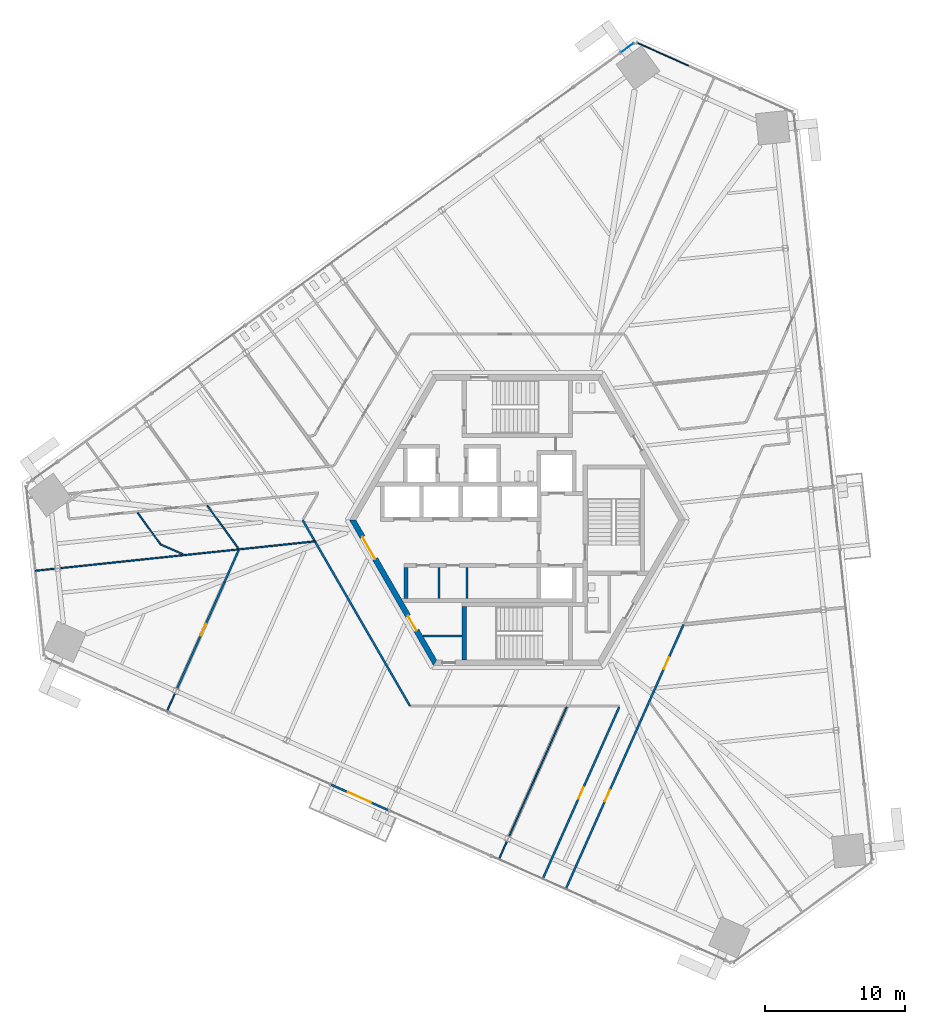
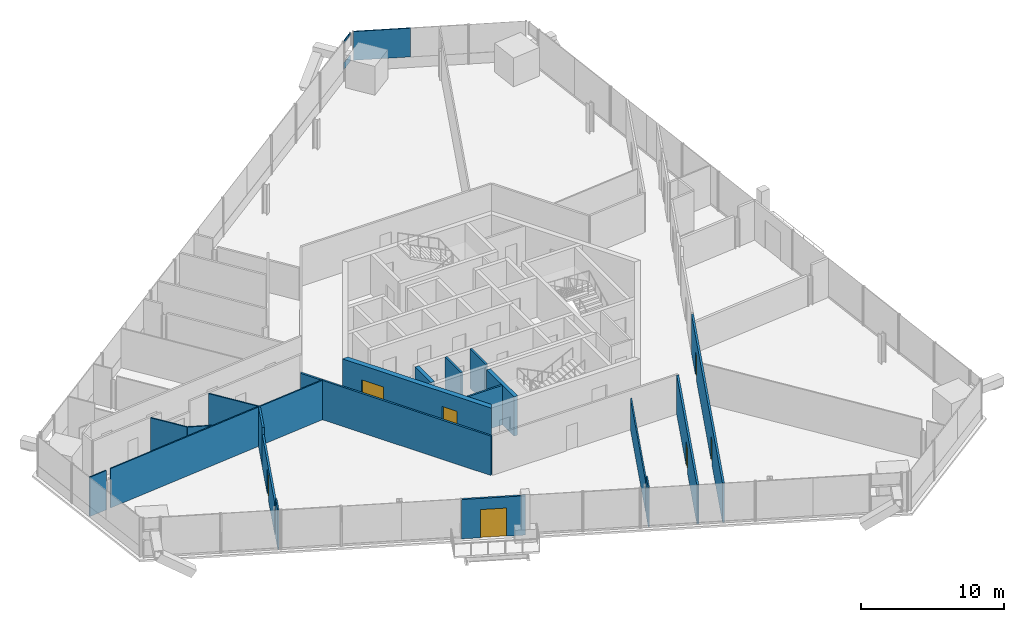
# One storey, part 17 of 25: 20 walls, 7 doors, 3 plates, 7 openings, 3 elements without a shape of their own.
"""IFC4 building model written with IfcOpenShell, lengths in metres."""

import ifcopenshell
import ifcopenshell.guid

model = None  # the IFC model being written
_history = None  # IfcOwnerHistory: only IFC2X3 demands one
_inside = {}  # id of a spatial element -> (the spatial element, [elements in it])
_under = {}  # id of a project, library or spatial element -> (it, [spatial elements below it])
_declared = {}  # id of a project -> (the project, [libraries it declares])
_typed = {}  # id of a type object -> (the type object, [elements of that type])
_made_of = {}  # id of a material, layer set ... -> (it, [elements and type objects made of it])


def new_model(schema):
    """Start an empty IFC model of exactly this schema.

    Asked for "IFC4X3", IfcOpenShell would pick the latest addendum, in which some entities
    have other attributes; the version numbers below select the first issue.
    IFC2X3 requires an IfcOwnerHistory on every rooted entity: one is made here for all.
    """
    global model, _history
    if schema == "IFC4X3":
        model = ifcopenshell.file(schema_version=(4, 3, 0, 0))
    else:
        model = ifcopenshell.file(schema=schema)
    _inside.clear()
    _under.clear()
    _declared.clear()
    _typed.clear()
    _made_of.clear()
    _history = None
    if model.schema == "IFC2X3":
        org = make("IfcOrganization", Name="unknown")
        user = make(
            "IfcPersonAndOrganization",
            ThePerson=make("IfcPerson", FamilyName="unknown"),
            TheOrganization=org,
        )
        app = make(
            "IfcApplication",
            ApplicationDeveloper=org,
            Version="unknown",
            ApplicationFullName="unknown",
            ApplicationIdentifier="unknown",
        )
        _history = make(
            "IfcOwnerHistory",
            OwningUser=user,
            OwningApplication=app,
            ChangeAction="ADDED",
            CreationDate=0,
        )
    return model


def make(cls, **values):
    """One entity of the class cls with the attributes given. An attribute that is None is left unset."""
    return model.create_entity(
        cls, **{name: value for name, value in values.items() if value is not None}
    )


def rooted(cls, **values):
    """An entity with a GlobalId (a new one), such as an element, a storey or a relation."""
    return make(cls, GlobalId=ifcopenshell.guid.new(), OwnerHistory=_history, **values)


def si_unit(unit_type, name, prefix=None):
    """IfcSIUnit, for example si_unit("LENGTHUNIT", "METRE", prefix="MILLI")."""
    return make("IfcSIUnit", UnitType=unit_type, Prefix=prefix, Name=name)


def assignment(units):
    """IfcUnitAssignment: the units of a project."""
    return None if units is None else make("IfcUnitAssignment", Units=units)


def point(xyz):
    """IfcCartesianPoint."""
    return None if xyz is None else make("IfcCartesianPoint", Coordinates=xyz)


def direction(xyz):
    """IfcDirection."""
    return None if xyz is None else make("IfcDirection", DirectionRatios=xyz)


def frame(location, z_axis=None, x_axis=None):
    """IfcAxis2Placement3D, a coordinate frame: its origin and axes. An axis left out is left unset."""
    return make(
        "IfcAxis2Placement3D",
        Location=point(location),
        Axis=direction(z_axis),
        RefDirection=direction(x_axis),
    )


def frame_2d(location, x_axis=None):
    """IfcAxis2Placement2D, a coordinate frame in the plane: its origin and x axis."""
    return make(
        "IfcAxis2Placement2D", Location=point(location), RefDirection=direction(x_axis)
    )


def origin():
    """The frame at (0, 0, 0) with its axes left unset."""
    return frame((0.0, 0.0, 0.0))


def origin_2d():
    """The frame at (0, 0) in the plane with its x axis left unset."""
    return frame_2d((0.0, 0.0))


def place(relative_to, where):
    """IfcLocalPlacement: puts the frame where relative to a parent placement (None: the world)."""
    return make(
        "IfcLocalPlacement", PlacementRelTo=relative_to, RelativePlacement=where
    )


def context(
    kind, dimensions, precision=None, world=None, true_north=None, identifier=None
):
    """IfcGeometricRepresentationContext, for example the 3D "Model" context."""
    return make(
        "IfcGeometricRepresentationContext",
        ContextIdentifier=identifier,
        ContextType=kind,
        CoordinateSpaceDimension=dimensions,
        Precision=precision,
        WorldCoordinateSystem=world,
        TrueNorth=true_north,
    )


def subcontext(parent, identifier, kind, view, scale=None):
    """IfcGeometricRepresentationSubContext, for example "Body" below "Model"."""
    return make(
        "IfcGeometricRepresentationSubContext",
        ContextIdentifier=identifier,
        ContextType=kind,
        ParentContext=parent,
        TargetScale=scale,
        TargetView=view,
    )


def project(units=None, contexts=None):
    """IfcProject with its units and contexts."""
    return rooted(
        "IfcProject",
        Name="project",
        RepresentationContexts=contexts,
        UnitsInContext=assignment(units),
    )


def spatial(cls, under=None, at=None, **own):
    """A site, building, storey or space (cls), placed at a placement, below another one or the project."""
    s = rooted(cls, ObjectPlacement=at, **own)
    if under is not None:
        _under.setdefault(under.id(), (under, []))[1].append(s)
    return s


def polyline(points):
    """IfcPolyline through the points."""
    return make("IfcPolyline", Points=[point(p) for p in points])


def profile(cls, at=None, kind="AREA", **sizes):
    """A parametric profile (cls). Its sizes go by their IFC names, for example OverallWidth=200.0."""
    return make(cls, ProfileType=kind, Position=at, **sizes)


def rectangle(**sizes):
    """IfcRectangleProfileDef."""
    return profile("IfcRectangleProfileDef", **sizes)


def outline(outer, holes=None, kind="AREA"):
    """IfcArbitraryClosedProfileDef: a profile drawn as a closed curve; with holes, ...WithVoids."""
    if holes is None:
        return make("IfcArbitraryClosedProfileDef", ProfileType=kind, OuterCurve=outer)
    return make(
        "IfcArbitraryProfileDefWithVoids",
        ProfileType=kind,
        OuterCurve=outer,
        InnerCurves=holes,
    )


def extrude(swept, where, along, depth):
    """IfcExtrudedAreaSolid: the profile swept, set in the frame where, extruded along a direction by depth."""
    return make(
        "IfcExtrudedAreaSolid",
        SweptArea=swept,
        Position=where,
        ExtrudedDirection=direction(along),
        Depth=depth,
    )


def shape(context_of_items, identifier, shape_type, items):
    """IfcShapeRepresentation: the items that make up one representation, for example the "Body"."""
    return make(
        "IfcShapeRepresentation",
        ContextOfItems=context_of_items,
        RepresentationIdentifier=identifier,
        RepresentationType=shape_type,
        Items=items,
    )


def source(mapping_origin, context_of_items, identifier, shape_type, items):
    """IfcRepresentationMap: a shape defined once, which mapped items show again and again."""
    return make(
        "IfcRepresentationMap",
        MappingOrigin=mapping_origin,
        MappedRepresentation=shape(context_of_items, identifier, shape_type, items),
    )


def transform(
    local_origin,
    x_axis=None,
    y_axis=None,
    z_axis=None,
    scale=None,
    scale2=None,
    scale3=None,
    uniform=True,
):
    """IfcCartesianTransformationOperator3D, or its non-uniform kind. x_axis, y_axis, z_axis: its Axis1, 2, 3."""
    if uniform:
        return make(
            "IfcCartesianTransformationOperator3D",
            Axis1=direction(x_axis),
            Axis2=direction(y_axis),
            LocalOrigin=point(local_origin),
            Scale=scale,
            Axis3=direction(z_axis),
        )
    return make(
        "IfcCartesianTransformationOperator3DnonUniform",
        Axis1=direction(x_axis),
        Axis2=direction(y_axis),
        LocalOrigin=point(local_origin),
        Scale=scale,
        Axis3=direction(z_axis),
        Scale2=scale2,
        Scale3=scale3,
    )


def mapped(mapping_source, mapping_target):
    """IfcMappedItem: shows the shape of a source again, moved by a transform."""
    return make(
        "IfcMappedItem", MappingSource=mapping_source, MappingTarget=mapping_target
    )


def material(Name=None, Category=None):
    """IfcMaterial."""
    return make("IfcMaterial", Name=Name, Category=Category)


def layer(
    of_material, thickness, ventilated=None, Name=None, Category=None, Priority=None
):
    """IfcMaterialLayer: one layer of a wall or slab, of a material (None: an air gap)."""
    return make(
        "IfcMaterialLayer",
        Material=of_material,
        LayerThickness=thickness,
        IsVentilated=ventilated,
        Name=Name,
        Category=Category,
        Priority=Priority,
    )


def layer_set(layers, Name=None):
    """IfcMaterialLayerSet."""
    return make("IfcMaterialLayerSet", MaterialLayers=layers, LayerSetName=Name)


def made_of(thing, what):
    """Note that an element or type object is made of a material, layer set ...; save() writes the relation."""
    if what is not None:
        _made_of.setdefault(what.id(), (what, []))[1].append(thing)
    return thing


def type_object(cls, material=None, **own):
    """A type object (cls), such as IfcWallType, which elements share."""
    return made_of(rooted(cls, **own), material)


def element(
    cls,
    number,
    at=None,
    inside=None,
    cuts=None,
    type_object=None,
    material=None,
    context=None,
    identifier="Body",
    shape_type=None,
    held_by="IfcProductDefinitionShape",
    body=None,
    shapes=None,
    **own,
):
    """One element of the class cls, such as IfcWall. Its Tag is "e" and its number.

    at: its placement. inside: the storey or other place that contains it. cuts: it is an
    opening in that element (IfcRelVoidsElement). A single representation is given by context,
    identifier, shape_type and body (its items); several are given by shapes. held_by: the class
    of the entity that holds the representations. save() writes the other relations.
    """
    e = rooted(cls, Tag="e%d" % number, ObjectPlacement=at, **own)
    if body is not None:
        shapes = [shape(context, identifier, shape_type, body)]
    if shapes is not None:
        e.Representation = make(held_by, Representations=shapes)
    if inside is not None:
        _inside.setdefault(inside.id(), (inside, []))[1].append(e)
    if cuts is not None:
        rooted(
            "IfcRelVoidsElement", RelatingBuildingElement=cuts, RelatedOpeningElement=e
        )
    if type_object is not None:
        _typed.setdefault(type_object.id(), (type_object, []))[1].append(e)
    return made_of(e, material)


def fill(opening, filler):
    """IfcRelFillsElement: the door or window that sits in an opening."""
    return rooted(
        "IfcRelFillsElement",
        RelatingOpeningElement=opening,
        RelatedBuildingElement=filler,
    )


def aggregate(whole, parts):
    """IfcRelAggregates: a whole, such as a stair, and the parts it consists of."""
    return rooted("IfcRelAggregates", RelatingObject=whole, RelatedObjects=parts)


def save(model, path):
    """Write the relations noted so far, then the file.

    IfcRelAggregates (storeys below a building ...), IfcRelContainedInSpatialStructure (elements
    in a storey), IfcRelDefinesByType, IfcRelAssociatesMaterial and IfcRelDeclares: one each for
    every whole, place, type object, material and project.
    """
    for whole, parts in _under.values():
        aggregate(whole, parts)
    for where, things in _inside.values():
        rooted(
            "IfcRelContainedInSpatialStructure",
            RelatedElements=things,
            RelatingStructure=where,
        )
    for kind, things in _typed.values():
        rooted("IfcRelDefinesByType", RelatedObjects=things, RelatingType=kind)
    for what, things in _made_of.values():
        rooted("IfcRelAssociatesMaterial", RelatedObjects=things, RelatingMaterial=what)
    for by, libraries in _declared.values():
        rooted("IfcRelDeclares", RelatingContext=by, RelatedDefinitions=libraries)
    model.write(path)


model = new_model("IFC4")

# Units and contexts
model_context = context("Model", 3, precision=1e-05, world=origin(), true_north=direction((0.0, 1.0)))
body_context = subcontext(model_context, "Body", "Model", "MODEL_VIEW")
ifc_project = project(units=[si_unit("LENGTHUNIT", "METRE"), si_unit("AREAUNIT", "SQUARE_METRE"), si_unit("VOLUMEUNIT", "CUBIC_METRE"), si_unit("PLANEANGLEUNIT", "RADIAN"), si_unit("MASSUNIT", "GRAM", prefix="KILO")], contexts=[model_context])

# Site, building, storey
site_placement = place(None, origin())
site = spatial("IfcSite", under=ifc_project, at=site_placement, CompositionType="ELEMENT")
building_placement = place(site_placement, origin())
building = spatial("IfcBuilding", under=site, at=building_placement, Name="Triune Harvest Tower", CompositionType="ELEMENT")
storey_placement = place(building_placement, frame((0.0, 0.0, 90.89990234375)))
storey = spatial("IfcBuildingStorey", under=building, at=storey_placement, Name="L22", CompositionType="ELEMENT", Elevation=90.89990234375)

# Curtain wall, plate
ifc_material_1 = material(Name="Aluminium bronze anodised", Category="aluminium")
curtain_wall_type_1 = type_object("IfcCurtainWallType", Name="CW-1 Tower stick curtain wall", PredefinedType="NOTDEFINED", material=ifc_material_1)
curtain_wall_1_placement = place(storey_placement, origin())
curtain_wall_1 = element("IfcCurtainWall", 1, at=curtain_wall_1_placement, inside=storey, type_object=curtain_wall_type_1, Name="CW-1 B2-F3 L22 run 1")
ifc_material_2 = material(Name="Glass", Category="glass")
ifc_layer_1 = layer(ifc_material_2, 0.031982421875)
ifc_layer_set_1 = layer_set([ifc_layer_1], Name="Glass")
plate_type_1 = type_object("IfcPlateType", Name="GL-1 panel 32", PredefinedType="CURTAIN_PANEL", material=ifc_layer_set_1)
plate_1_placement = place(storey_placement, frame((7.864990234375, 33.770263671875, 0.900146484375), z_axis=(0.0, 0.0, 1.0), x_axis=(-0.809012047405, -0.587792061152, 0.0)))
plate_1 = element("IfcPlate", 2, at=plate_1_placement, type_object=plate_type_1, Name="CW-1 panel B2-F3 1.1", PredefinedType="CURTAIN_PANEL", context=body_context, shape_type="SweptSolid", body=[
    extrude(rectangle(XDim=1.07177734375, YDim=0.031982421875, at=origin_2d()), origin(), (0.0, 0.0, 1.0), 0.56494140625),
])
aggregate(curtain_wall_1, [plate_1])

curtain_wall_2_placement = place(storey_placement, origin())
curtain_wall_2 = element("IfcCurtainWall", 3, at=curtain_wall_2_placement, inside=storey, type_object=curtain_wall_type_1, Name="CW-1 B2-F3 L22 run 101")
plate_2_placement = place(storey_placement, frame((7.864990234375, 33.770263671875, 3.13525390625), z_axis=(0.0, 0.0, 1.0), x_axis=(-0.809012047405, -0.587792061152, 0.0)))
plate_2 = element("IfcPlate", 4, at=plate_2_placement, type_object=plate_type_1, Name="CW-1 panel B2-F3 101.1", PredefinedType="CURTAIN_PANEL", context=body_context, shape_type="SweptSolid", body=[
    extrude(rectangle(XDim=1.07177734375, YDim=0.031982421875, at=origin_2d()), origin(), (0.0, 0.0, 1.0), 0.215087890625),
])
aggregate(curtain_wall_2, [plate_2])

ifc_material_3 = material(Name="Aluminium bronze anodised", Category="aluminium")
curtain_wall_type_2 = type_object("IfcCurtainWallType", Name="CW-7 Tower stick curtain wall with insulated spandrel infill", PredefinedType="NOTDEFINED", material=ifc_material_3)
curtain_wall_3_placement = place(storey_placement, origin())
curtain_wall_3 = element("IfcCurtainWall", 5, at=curtain_wall_3_placement, inside=storey, type_object=curtain_wall_type_2, Name="CW-7 B2-F2 L22 run 1001")
ifc_material_4 = material(Name="Insulated spandrel panel, bronze aluminium pan", Category="aluminium")
ifc_layer_2 = layer(ifc_material_4, 0.080078125)
ifc_layer_set_2 = layer_set([ifc_layer_2], Name="Insulated spandrel panel, bronze aluminium pan")
plate_type_2 = type_object("IfcPlateType", Name="SP-1 insulated spandrel panel 80", PredefinedType="CURTAIN_PANEL", material=ifc_layer_set_2)
shared_shape_1 = source(origin(), body_context, "Body", "SweptSolid", [
    extrude(rectangle(XDim=3.998291015625, YDim=0.080078125, at=origin_2d()), origin(), (0.0, 0.0, 1.0), 2.449951171875),
])
plate_3_placement = place(storey_placement, frame((10.4091796875, 33.302001953125, 0.89990234375), z_axis=(0.0, 0.0, 1.0), x_axis=(-0.913546005002, 0.406735413684, 0.0)))
plate_3 = element("IfcPlate", 6, at=plate_3_placement, type_object=plate_type_2, Name="CW-7 panel B2-F2 1001.2", PredefinedType="CURTAIN_PANEL", context=body_context, shape_type="MappedRepresentation", body=[
    mapped(shared_shape_1, transform((0.0, 0.0, 0.0), scale=1.0)),
])
aggregate(curtain_wall_3, [plate_3])

# Wall, openings, doors
ifc_material_5 = material(Name="Gypsum board on steel studs", Category="steel")
ifc_layer_3 = layer(ifc_material_5, 0.14990234375)
ifc_layer_set_3 = layer_set([ifc_layer_3], Name="Gypsum board on steel studs")
wall_type_1 = type_object("IfcWallType", Name="Fire Partition 150 mm", PredefinedType="PARTITIONING", material=ifc_layer_set_3)
wall_1_placement = place(storey_placement, frame((3.460205078125, -26.386474609375, 0.0), z_axis=(0.0, 0.0, 1.0), x_axis=(0.406728921901, 0.913548895292, 0.0)))
wall_1 = element("IfcWall", 7, at=wall_1_placement, inside=storey, type_object=wall_type_1, Name="Partition L22 043", PredefinedType="PARTITIONING", context=body_context, shape_type="SweptSolid", body=[
    extrude(rectangle(XDim=20.713623046875, YDim=0.14990234375, at=frame_2d((10.35693359375, 0.0))), origin(), (0.0, 0.0, 1.0), 3.35009765625),
])
opening_1_placement = place(wall_1_placement, frame((17.226318359375, 0.0, 0.0)))
opening_1 = element("IfcOpeningElement", 8, at=opening_1_placement, cuts=wall_1, Name="Opening L22-001", PredefinedType="OPENING", context=body_context, shape_type="SweptSolid", body=[
    extrude(rectangle(XDim=0.89990234375, YDim=2.10009765625, at=frame_2d((0.449951171875, 1.050048828125))), frame((0.0, 0.0849609375, 0.0), z_axis=(0.0, -1.0, 0.0), x_axis=(1.0, 0.0, 0.0)), (0.0, 0.0, 1.0), 0.169921875),
])
opening_2_placement = place(wall_1_placement, frame((6.85009765625, 0.0, 0.0)))
opening_2 = element("IfcOpeningElement", 9, at=opening_2_placement, cuts=wall_1, Name="Opening L22-022", PredefinedType="OPENING", context=body_context, shape_type="SweptSolid", body=[
    extrude(rectangle(XDim=0.89990234375, YDim=2.10009765625, at=frame_2d((0.449951171875, 1.050048828125))), frame((0.0, 0.0849609375, 0.0), z_axis=(0.0, -1.0, 0.0), x_axis=(1.0, 0.0, 0.0)), (0.0, 0.0, 1.0), 0.169921875),
])
ifc_material_6 = material(Name="Timber and steel door set", Category="steel")
door_type_1 = type_object("IfcDoorType", Name="Single leaf door FD30 left hand 900 x 2100", OperationType="SINGLE_SWING_LEFT", PredefinedType="DOOR", material=ifc_material_6)
door_1_placement = place(opening_1_placement, origin())
door_1 = element("IfcDoor", 10, at=door_1_placement, inside=storey, type_object=door_type_1, Name="Door L22-001 Office 22.01", OperationType="SINGLE_SWING_LEFT", OverallHeight=2.10009765625, OverallWidth=0.89990234375, PredefinedType="DOOR", context=body_context, shape_type="SweptSolid", body=[
    extrude(rectangle(XDim=0.89990234375, YDim=2.10009765625, at=frame_2d((0.449951171875, 1.050048828125))), frame((0.0, 0.02490234375, 0.0), z_axis=(0.0, -1.0, 0.0), x_axis=(1.0, 0.0, 0.0)), (0.0, 0.0, 1.0), 0.050048828125),
])
fill(opening_1, door_1)
ifc_material_7 = material(Name="Timber and steel door set", Category="steel")
door_type_2 = type_object("IfcDoorType", Name="Single leaf door FD30 right hand 900 x 2100", OperationType="SINGLE_SWING_RIGHT", PredefinedType="DOOR", material=ifc_material_7)
door_2_placement = place(opening_2_placement, origin())
door_2 = element("IfcDoor", 11, at=door_2_placement, inside=storey, type_object=door_type_2, Name="Door L22-022 Office 22.22", OperationType="SINGLE_SWING_RIGHT", OverallHeight=2.10009765625, OverallWidth=0.89990234375, PredefinedType="DOOR", context=body_context, shape_type="SweptSolid", body=[
    extrude(rectangle(XDim=0.89990234375, YDim=2.10009765625, at=frame_2d((0.449951171875, 1.050048828125))), frame((0.0, 0.02490234375, 0.0), z_axis=(0.0, -1.0, 0.0), x_axis=(1.0, 0.0, 0.0)), (0.0, 0.0, 1.0), 0.050048828125),
])
fill(opening_2, door_2)

# Wall, opening, door
wall_2_placement = place(storey_placement, frame((1.81591796875, -25.654296875, 0.0), z_axis=(0.0, 0.0, 1.0), x_axis=(0.406734939116, 0.913546216292, 0.0)))
wall_2 = element("IfcWall", 12, at=wall_2_placement, inside=storey, type_object=wall_type_1, Name="Partition L22 049", PredefinedType="PARTITIONING", context=body_context, shape_type="SweptSolid", body=[
    extrude(rectangle(XDim=13.44189453125, YDim=0.14990234375, at=frame_2d((6.720947265625, 0.0))), origin(), (0.0, 0.0, 1.0), 3.35009765625),
])
opening_3_placement = place(wall_2_placement, frame((6.281982421875, 0.0, 0.0)))
opening_3 = element("IfcOpeningElement", 13, at=opening_3_placement, cuts=wall_2, Name="Opening L22-021", PredefinedType="OPENING", context=body_context, shape_type="SweptSolid", body=[
    extrude(rectangle(XDim=0.89990234375, YDim=2.10009765625, at=frame_2d((0.449951171875, 1.050048828125))), frame((0.0, 0.0849609375, 0.0), z_axis=(0.0, -1.0, 0.0), x_axis=(1.0, 0.0, 0.0)), (0.0, 0.0, 1.0), 0.169921875),
])
door_3_placement = place(opening_3_placement, origin())
door_3 = element("IfcDoor", 14, at=door_3_placement, inside=storey, type_object=door_type_1, Name="Door L22-021 Office 22.21", OperationType="SINGLE_SWING_LEFT", OverallHeight=2.10009765625, OverallWidth=0.89990234375, PredefinedType="DOOR", context=body_context, shape_type="SweptSolid", body=[
    extrude(rectangle(XDim=0.89990234375, YDim=2.10009765625, at=frame_2d((0.449951171875, 1.050048828125))), frame((0.0, 0.02490234375, 0.0), z_axis=(0.0, -1.0, 0.0), x_axis=(1.0, 0.0, 0.0)), (0.0, 0.0, 1.0), 0.050048828125),
])
fill(opening_3, door_3)

wall_3_placement = place(storey_placement, frame((-24.329833984375, -12.0517578125, 0.0), z_axis=(0.0, 0.0, 1.0), x_axis=(0.406733929789, 0.913546665671, 0.0)))
wall_3 = element("IfcWall", 15, at=wall_3_placement, inside=storey, type_object=wall_type_1, Name="Partition L22 056", PredefinedType="PARTITIONING", context=body_context, shape_type="SweptSolid", body=[
    extrude(rectangle(XDim=8.291748046875, YDim=0.14990234375, at=frame_2d((4.14599609375, 0.0))), origin(), (0.0, 0.0, 1.0), 2.73779296875),
])
opening_4_placement = place(wall_3_placement, frame((4.1533203125, 0.0, 0.0)))
opening_4 = element("IfcOpeningElement", 16, at=opening_4_placement, cuts=wall_3, Name="Opening L22-019", PredefinedType="OPENING", context=body_context, shape_type="SweptSolid", body=[
    extrude(rectangle(XDim=0.89990234375, YDim=2.10009765625, at=frame_2d((0.449951171875, 1.050048828125))), frame((0.0, 0.0849609375, 0.0), z_axis=(0.0, -1.0, 0.0), x_axis=(1.0, 0.0, 0.0)), (0.0, 0.0, 1.0), 0.169921875),
])
door_4_placement = place(opening_4_placement, origin())
door_4 = element("IfcDoor", 17, at=door_4_placement, inside=storey, type_object=door_type_1, Name="Door L22-019 Specimen Store 22.19", OperationType="SINGLE_SWING_LEFT", OverallHeight=2.10009765625, OverallWidth=0.89990234375, PredefinedType="DOOR", context=body_context, shape_type="SweptSolid", body=[
    extrude(rectangle(XDim=0.89990234375, YDim=2.10009765625, at=frame_2d((0.449951171875, 1.050048828125))), frame((0.0, 0.02490234375, 0.0), z_axis=(0.0, -1.0, 0.0), x_axis=(1.0, 0.0, 0.0)), (0.0, 0.0, 1.0), 0.050048828125),
])
fill(opening_4, door_4)

# Walls
wall_4_placement = place(storey_placement, frame((-20.957275390625, -4.476806640625, 0.0), z_axis=(0.0, 0.0, 1.0), x_axis=(0.406764703953, 0.913532963619, 0.0)))
element("IfcWall", 18, at=wall_4_placement, inside=storey, type_object=wall_type_1, Name="Partition L22 056a", PredefinedType="PARTITIONING", context=body_context, shape_type="SweptSolid", body=[
    extrude(rectangle(XDim=2.53173828125, YDim=0.14990234375, at=frame_2d((1.265869140625, 0.0))), origin(), (0.0, 0.0, 1.0), 3.35009765625),
])
ifc_material_8 = material(Name="Gypsum board on steel studs", Category="steel")
ifc_layer_4 = layer(ifc_material_8, 0.10009765625)
ifc_layer_set_4 = layer_set([ifc_layer_4], Name="Gypsum board on steel studs")
wall_type_2 = type_object("IfcWallType", Name="Partition 100 mm", PredefinedType="PARTITIONING", material=ifc_layer_set_4)
wall_5_placement = place(storey_placement, frame((-27.144287109375, 0.5185546875, 0.0), z_axis=(0.0, 0.0, 1.0), x_axis=(0.587723184336, -0.809062085748, 0.0)))
element("IfcWall", 19, at=wall_5_placement, inside=storey, type_object=wall_type_2, Name="Partition L22 006", PredefinedType="PARTITIONING", context=body_context, shape_type="SweptSolid", body=[
    extrude(rectangle(XDim=2.783935546875, YDim=0.10009765625, at=frame_2d((1.39208984375, 0.0))), origin(), (0.0, 0.0, 1.0), 3.35009765625),
])
wall_6_placement = place(storey_placement, frame((-22.1708984375, 1.04150390625, 0.0), z_axis=(0.0, 0.0, 1.0), x_axis=(0.587786984846, -0.809015735598, 0.0)))
element("IfcWall", 20, at=wall_6_placement, inside=storey, type_object=wall_type_2, Name="Partition L22 009", PredefinedType="PARTITIONING", context=body_context, shape_type="SweptSolid", body=[
    extrude(rectangle(XDim=3.811767578125, YDim=0.10009765625, at=frame_2d((1.90576171875, 0.0))), origin(), (0.0, 0.0, 1.0), 3.35009765625),
])
wall_7_placement = place(storey_placement, frame((-25.4990234375, -1.73779296875, 0.0), z_axis=(0.0, 0.0, 1.0), x_axis=(0.913573395062, -0.406673888803, 0.0)))
element("IfcWall", 21, at=wall_7_placement, inside=storey, type_object=wall_type_2, Name="Partition L22 019", PredefinedType="PARTITIONING", context=body_context, shape_type="SweptSolid", body=[
    extrude(rectangle(XDim=1.734375, YDim=0.10009765625, at=frame_2d((0.8671875, 0.0))), origin(), (0.0, 0.0, 1.0), 3.35009765625),
])
wall_8_placement = place(storey_placement, frame((-34.466796875, -3.62353515625, 0.0), z_axis=(0.0, 0.0, 1.0), x_axis=(0.994511109239, 0.104631035546, 0.0)))
element("IfcWall", 22, at=wall_8_placement, inside=storey, type_object=wall_type_2, Name="Partition L22 024", PredefinedType="PARTITIONING", context=body_context, shape_type="SweptSolid", body=[
    extrude(rectangle(XDim=1.418701171875, YDim=0.10009765625, at=frame_2d((0.70947265625, 0.0))), origin(), (0.0, 0.0, 1.0), 3.35009765625),
])
wall_9_placement = place(storey_placement, frame((-0.58984375, -22.62158203125, 0.0), z_axis=(0.0, 0.0, 1.0), x_axis=(0.406757654294, 0.913536102556, 0.0)))
element("IfcWall", 23, at=wall_9_placement, inside=storey, type_object=wall_type_2, Name="Partition L22 052", PredefinedType="PARTITIONING", context=body_context, shape_type="SweptSolid", body=[
    extrude(rectangle(XDim=10.132080078125, YDim=0.10009765625, at=frame_2d((5.06591796875, 0.0))), origin(), (0.0, 0.0, 1.0), 2.6669921875),
])

# Wall, openings, doors
ifc_material_9 = material(Name="Concrete 70 MPa", Category="concrete")
ifc_layer_5 = layer(ifc_material_9, 0.39990234375)
ifc_layer_set_5 = layer_set([ifc_layer_5], Name="Concrete 70 MPa")
wall_type_3 = type_object("IfcWallType", Name="Core wall 400", PredefinedType="SHEAR", material=ifc_layer_set_5)
shared_shape_2 = source(origin(), body_context, "Body", "SweptSolid", [
    extrude(outline(polyline([(-0.115478515625, -0.199951171875), (11.884521484375, -0.199951171875), (11.653564453125, 0.199951171875), (0.115478515625, 0.199951171875), (-0.115478515625, -0.199951171875)])), origin(), (0.0, 0.0, 1.0), 3.35009765625),
])
wall_10_placement = place(storey_placement, frame((-11.76904296875, 0.0, 0.0), z_axis=(0.0, 0.0, 1.0), x_axis=(0.499996592174, -0.866027371285, 0.0)))
wall_10 = element("IfcWall", 24, at=wall_10_placement, inside=storey, type_object=wall_type_3, Name="Hexagon 3 wall", PredefinedType="SHEAR", context=body_context, shape_type="MappedRepresentation", body=[
    mapped(shared_shape_2, transform((0.0, 0.0, 0.0), scale=1.0)),
])
opening_5_placement = place(wall_10_placement, frame((1.404541015625, 0.0, 0.0)))
opening_5 = element("IfcOpeningElement", 25, at=opening_5_placement, cuts=wall_10, Name="Opening CD-LS", PredefinedType="OPENING", context=body_context, shape_type="SweptSolid", body=[
    extrude(rectangle(XDim=1.800048828125, YDim=2.10009765625, at=frame_2d((0.89990234375, 1.050048828125))), frame((0.0, 0.2099609375, 0.0), z_axis=(0.0, -1.0, 0.0), x_axis=(1.0, 0.0, 0.0)), (0.0, 0.0, 1.0), 0.419921875),
])
opening_6_placement = place(wall_10_placement, frame((7.91455078125, 0.0, 0.0)))
opening_6 = element("IfcOpeningElement", 26, at=opening_6_placement, cuts=wall_10, Name="Opening CD-SWP", PredefinedType="OPENING", context=body_context, shape_type="SweptSolid", body=[
    extrude(rectangle(XDim=1.199951171875, YDim=2.10009765625, at=frame_2d((0.60009765625, 1.050048828125))), frame((0.0, 0.2099609375, 0.0), z_axis=(0.0, -1.0, 0.0), x_axis=(1.0, 0.0, 0.0)), (0.0, 0.0, 1.0), 0.419921875),
])
ifc_material_10 = material(Name="Steel S235", Category="steel")
door_type_3 = type_object("IfcDoorType", Name="Lobby door 1800 FD120", OperationType="DOUBLE_DOOR_DOUBLE_SWING", PredefinedType="DOOR", material=ifc_material_10)
door_5_placement = place(opening_5_placement, frame((1.800048828125, 0.0, 0.0), z_axis=(0.0, 0.0, 1.0), x_axis=(-1.0, 0.0, 0.0)))
door_5 = element("IfcDoor", 27, at=door_5_placement, inside=storey, type_object=door_type_3, Name="Door CD-LS", OperationType="DOUBLE_DOOR_DOUBLE_SWING", OverallHeight=2.10009765625, OverallWidth=1.800048828125, PredefinedType="DOOR", context=body_context, shape_type="SweptSolid", body=[
    extrude(rectangle(XDim=1.800048828125, YDim=2.10009765625, at=frame_2d((0.89990234375, 1.050048828125))), frame((0.0, 0.02490234375, 0.0), z_axis=(0.0, -1.0, 0.0), x_axis=(1.0, 0.0, 0.0)), (0.0, 0.0, 1.0), 0.050048828125),
])
fill(opening_5, door_5)
ifc_material_11 = material(Name="Steel S235", Category="steel")
door_type_4 = type_object("IfcDoorType", Name="Service door 1200 FD120", OperationType="SINGLE_SWING_LEFT", PredefinedType="DOOR", material=ifc_material_11)
door_6_placement = place(opening_6_placement, frame((1.199951171875, 0.0, 0.0), z_axis=(0.0, 0.0, 1.0), x_axis=(-1.0, 0.0, 0.0)))
door_6 = element("IfcDoor", 28, at=door_6_placement, inside=storey, type_object=door_type_4, Name="Door CD-SWP", OperationType="SINGLE_SWING_RIGHT", OverallHeight=2.10009765625, OverallWidth=1.199951171875, PredefinedType="DOOR", context=body_context, shape_type="SweptSolid", body=[
    extrude(rectangle(XDim=1.199951171875, YDim=2.10009765625, at=frame_2d((0.60009765625, 1.050048828125))), frame((0.0, 0.02490234375, 0.0), z_axis=(0.0, -1.0, 0.0), x_axis=(1.0, 0.0, 0.0)), (0.0, 0.0, 1.0), 0.050048828125),
])
fill(opening_6, door_6)

# Walls
ifc_material_12 = material(Name="Concrete 70 MPa", Category="concrete")
ifc_layer_6 = layer(ifc_material_12, 0.300048828125)
ifc_layer_set_6 = layer_set([ifc_layer_6], Name="Concrete 70 MPa")
wall_type_4 = type_object("IfcWallType", Name="Core wall 300", PredefinedType="SHEAR", material=ifc_layer_set_6)
shared_shape_3 = source(origin(), body_context, "Body", "SweptSolid", [
    extrude(rectangle(XDim=2.2001953125, YDim=0.300048828125, at=frame_2d((1.10009765625, 0.0))), origin(), (0.0, 0.0, 1.0), 3.35009765625),
])
wall_11_placement = place(storey_placement, frame((-7.949951171875, -5.590087890625, 0.0), z_axis=(0.0, 0.0, 1.0), x_axis=(0.0, 1.0, 0.0)))
element("IfcWall", 29, at=wall_11_placement, inside=storey, type_object=wall_type_4, Name="South end west wall", PredefinedType="SHEAR", context=body_context, shape_type="MappedRepresentation", body=[
    mapped(shared_shape_3, transform((0.0, 0.0, 0.0), scale=1.0)),
])
shared_shape_4 = source(origin(), body_context, "Body", "SweptSolid", [
    extrude(outline(polyline([(3.800048828125, -0.14990234375), (-0.00439453125, -0.14990234375), (-0.00439453125, 0.14990234375), (3.800048828125, 0.14990234375), (3.800048828125, -0.14990234375)])), origin(), (0.0, 0.0, 1.0), 3.35009765625),
])
wall_12_placement = place(storey_placement, frame((-3.800048828125, -9.989990234375, 0.0), z_axis=(0.0, 0.0, 1.0), x_axis=(0.0, 1.0, 0.0)))
element("IfcWall", 30, at=wall_12_placement, inside=storey, type_object=wall_type_4, Name="Stair s west wall", PredefinedType="SHEAR", context=body_context, shape_type="MappedRepresentation", body=[
    mapped(shared_shape_4, transform((0.0, 0.0, 0.0), scale=1.0)),
])
ifc_material_13 = material(Name="Concrete masonry unit", Category="masonry")
ifc_layer_7 = layer(ifc_material_13, 0.14990234375)
ifc_layer_set_7 = layer_set([ifc_layer_7], Name="Concrete masonry unit")
wall_type_5 = type_object("IfcWallType", Name="Block partition 150", PredefinedType="PARTITIONING", material=ifc_layer_set_7)
shared_shape_5 = source(origin(), body_context, "Body", "SweptSolid", [
    extrude(rectangle(XDim=2.2001953125, YDim=0.14990234375, at=frame_2d((1.10009765625, 0.0))), origin(), (0.0, 0.0, 1.0), 3.35009765625),
])
for number, where, z_axis, x_axis, name in (
    (31, (-5.60009765625, -5.590087890625, 0.0), (0.0, 0.0, 1.0), (0.0, 1.0, 0.0), "Row s part 1 wall"),
    (32, (-3.60009765625, -5.590087890625, 0.0), (0.0, 0.0, 1.0), (0.0, 1.0, 0.0), "Row s part 2 wall"),
):
    element("IfcWall", number, at=place(storey_placement, frame(where, z_axis=z_axis, x_axis=x_axis)), inside=storey, type_object=wall_type_5, Name=name, PredefinedType="PARTITIONING", context=body_context, shape_type="MappedRepresentation", body=[
        mapped(shared_shape_5, transform((0.0, 0.0, 0.0), scale=1.0)),
    ])
shared_shape_6 = source(origin(), body_context, "Body", "SweptSolid", [
    extrude(rectangle(XDim=2.777099609375, YDim=0.14990234375, at=frame_2d((1.388671875, 0.0))), origin(), (0.0, 0.0, 1.0), 3.35009765625),
])
wall_13_placement = place(storey_placement, frame((-6.72705078125, -8.300048828125, 0.0), z_axis=(0.0, 0.0, 1.0), x_axis=(1.0, 0.0, 0.0)))
element("IfcWall", 33, at=wall_13_placement, inside=storey, type_object=wall_type_5, Name="Sw part wall", PredefinedType="PARTITIONING", context=body_context, shape_type="MappedRepresentation", body=[
    mapped(shared_shape_6, transform((0.0, 0.0, 0.0), scale=1.0)),
])

# Wall, opening, door
ifc_material_14 = material(Name="Aluminium bronze anodised", Category="aluminium")
ifc_layer_8 = layer(ifc_material_14, 0.14990234375)
ifc_layer_set_8 = layer_set([ifc_layer_8], Name="Aluminium bronze anodised")
wall_type_6 = type_object("IfcWallType", Name="WW-2 balcony window wall", PredefinedType="ELEMENTEDWALL", material=ifc_layer_set_8)
shared_shape_7 = source(origin(), body_context, "Body", "SweptSolid", [
    extrude(rectangle(XDim=4.485595703125, YDim=0.14990234375, at=frame_2d((2.24267578125, 0.0))), origin(), (0.0, 0.0, 1.0), 3.35009765625),
])
wall_14_placement = place(storey_placement, frame((-9.23193359375, -20.735595703125, 0.0), z_axis=(0.0, 0.0, 1.0), x_axis=(-0.91354876379, 0.406729217266, 0.0)))
wall_14 = element("IfcWall", 34, at=wall_14_placement, inside=storey, type_object=wall_type_6, Name="WW-2 B2-F5 L22.6", PredefinedType="ELEMENTEDWALL", context=body_context, shape_type="MappedRepresentation", body=[
    mapped(shared_shape_7, transform((0.0, 0.0, 0.0), scale=1.0)),
])
opening_7_placement = place(wall_14_placement, frame((1.3427734375, 0.0, 0.0)))
opening_7 = element("IfcOpeningElement", 35, at=opening_7_placement, cuts=wall_14, Name="Opening L22-E02", PredefinedType="OPENING", context=body_context, shape_type="SweptSolid", body=[
    extrude(rectangle(XDim=1.800048828125, YDim=2.39990234375, at=frame_2d((0.89990234375, 1.199951171875))), frame((0.0, 0.0849609375, 0.0), z_axis=(0.0, -1.0, 0.0), x_axis=(1.0, 0.0, 0.0)), (0.0, 0.0, 1.0), 0.169921875),
])
ifc_material_15 = material(Name="Glass", Category="glass")
door_type_5 = type_object("IfcDoorType", Name="DB-1 balcony door 1800 x 2400", OperationType="DOUBLE_DOOR_SINGLE_SWING", PredefinedType="DOOR", material=ifc_material_15)
door_7_placement = place(opening_7_placement, origin())
door_7 = element("IfcDoor", 36, at=door_7_placement, inside=storey, type_object=door_type_5, Name="Door L22-E02", OperationType="DOUBLE_DOOR_SINGLE_SWING", OverallHeight=2.39990234375, OverallWidth=1.800048828125, PredefinedType="DOOR", context=body_context, shape_type="SweptSolid", body=[
    extrude(rectangle(XDim=1.800048828125, YDim=2.39990234375, at=frame_2d((0.89990234375, 1.199951171875))), frame((0.0, 0.02490234375, 0.0), z_axis=(0.0, -1.0, 0.0), x_axis=(1.0, 0.0, 0.0)), (0.0, 0.0, 1.0), 0.050048828125),
])
fill(opening_7, door_7)

# Walls
shared_shape_8 = source(origin(), body_context, "Body", "SweptSolid", [
    extrude(rectangle(XDim=15.3486328125, YDim=0.14990234375, at=frame_2d((7.67431640625, 0.0))), origin(), (0.0, 0.0, 1.0), 3.35009765625),
])
wall_15_placement = place(storey_placement, frame((-15.3486328125, 0.0, 0.0), z_axis=(0.0, 0.0, 1.0), x_axis=(0.500001963573, -0.866024270112, 0.0)))
element("IfcWall", 37, at=wall_15_placement, inside=storey, type_object=wall_type_1, Name="Partition L22 003", PredefinedType="PARTITIONING", context=body_context, shape_type="MappedRepresentation", body=[
    mapped(shared_shape_8, transform((0.0, 0.0, 0.0), scale=1.0)),
])
shared_shape_9 = source(origin(), body_context, "Body", "SweptSolid", [
    extrude(rectangle(XDim=1.41845703125, YDim=0.10009765625, at=frame_2d((0.709228515625, 0.0))), origin(), (0.0, 0.0, 1.0), 3.35009765625),
])
wall_16_placement = place(storey_placement, frame((-1.318603515625, -24.2587890625, 0.0), z_axis=(0.0, 0.0, 1.0), x_axis=(0.406697305895, 0.913562970669, 0.0)))
element("IfcWall", 38, at=wall_16_placement, inside=storey, type_object=wall_type_2, Name="Partition L22 051", PredefinedType="PARTITIONING", context=body_context, shape_type="MappedRepresentation", body=[
    mapped(shared_shape_9, transform((0.0, 0.0, 0.0), scale=1.0)),
])
shared_shape_10 = source(origin(), body_context, "Body", "SweptSolid", [
    extrude(rectangle(XDim=18.314208984375, YDim=0.10009765625, at=frame_2d((9.1572265625, 0.0))), origin(), (0.0, 0.0, 1.0), 3.35009765625),
])
wall_17_placement = place(storey_placement, frame((-32.684326171875, -3.436279296875, 0.0), z_axis=(0.0, 0.0, 1.0), x_axis=(0.994519395613, 0.104552244113, 0.0)))
element("IfcWall", 39, at=wall_17_placement, inside=storey, type_object=wall_type_2, Name="Partition L22 025", PredefinedType="PARTITIONING", context=body_context, shape_type="MappedRepresentation", body=[
    mapped(shared_shape_10, transform((0.0, 0.0, 0.0), scale=1.0)),
])
shared_shape_11 = source(origin(), body_context, "Body", "SweptSolid", [
    extrude(rectangle(XDim=1.418212890625, YDim=0.10009765625, at=frame_2d((0.708984375, 0.0))), origin(), (0.0, 0.0, 1.0), 3.35009765625),
])
wall_18_placement = place(storey_placement, frame((-25.05859375, -13.68896484375, 0.0), z_axis=(0.0, 0.0, 1.0), x_axis=(0.40676126154, 0.913534496399, 0.0)))
element("IfcWall", 40, at=wall_18_placement, inside=storey, type_object=wall_type_2, Name="Partition L22 055", PredefinedType="PARTITIONING", context=body_context, shape_type="MappedRepresentation", body=[
    mapped(shared_shape_11, transform((0.0, 0.0, 0.0), scale=1.0)),
])

save(model, "model.ifc")
